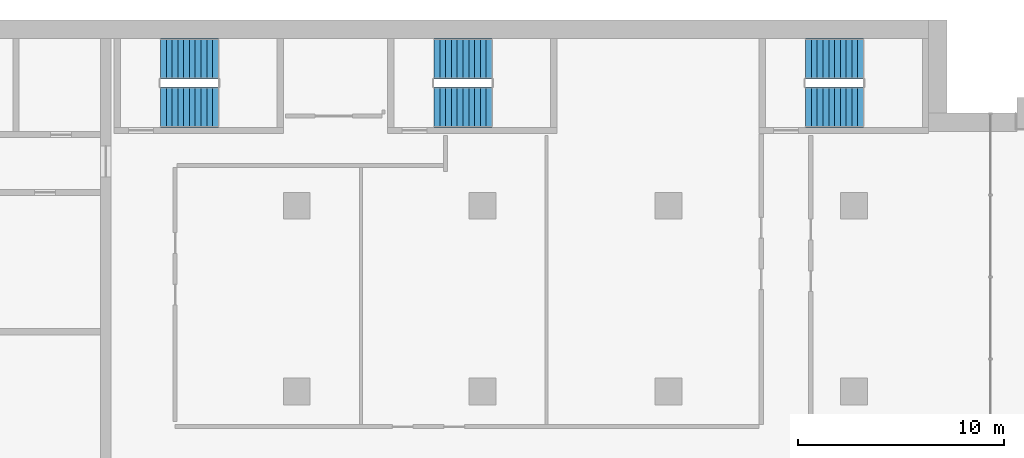
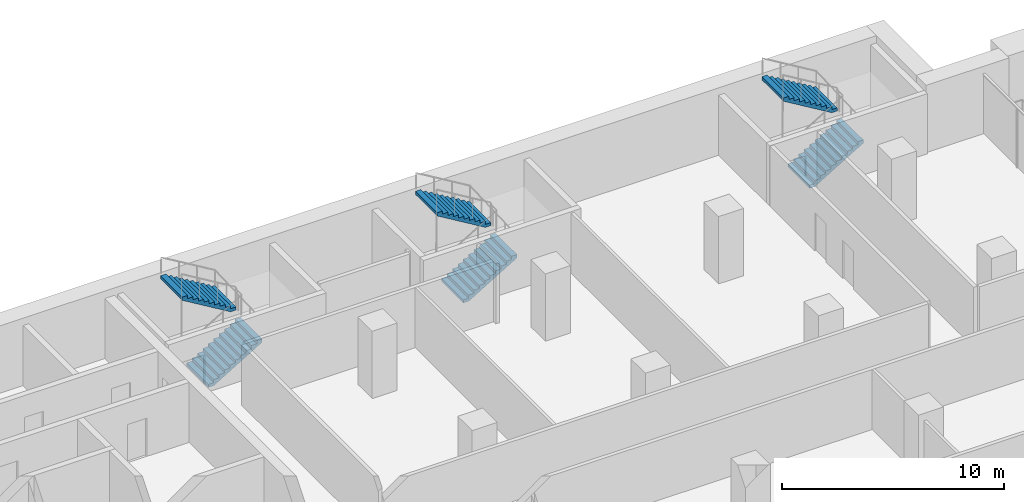
# One storey, part 18 of 23: 6 stair flights, 3 elements without a shape of their own.
"""IFC4 building model written with IfcOpenShell, lengths in metres."""

from ifc_helpers import new_model, si_unit, direction, frame, origin, place, context, subcontext, project, spatial, polyline, outline, extrude, material, type_object, element, aggregate, save


model = new_model("IFC4")

# Units and contexts
model_context = context("Model", 3, precision=1e-05, world=origin(), true_north=direction((0.0, 1.0)))
body_context = subcontext(model_context, "Body", "Model", "MODEL_VIEW")
ifc_project = project(units=[si_unit("LENGTHUNIT", "METRE"), si_unit("AREAUNIT", "SQUARE_METRE"), si_unit("VOLUMEUNIT", "CUBIC_METRE"), si_unit("PLANEANGLEUNIT", "RADIAN"), si_unit("MASSUNIT", "GRAM", prefix="KILO")], contexts=[model_context])

# Site, building, storey
site_placement = place(None, origin())
site = spatial("IfcSite", under=ifc_project, at=site_placement, CompositionType="ELEMENT")
building_placement = place(site_placement, origin())
building = spatial("IfcBuilding", under=site, at=building_placement, Name="Hunhe Ridgeline Campus", CompositionType="ELEMENT")
storey_placement = place(building_placement, frame((0.0, 0.0, 110.699951171875)))
storey = spatial("IfcBuildingStorey", under=building, at=storey_placement, Name="L27", CompositionType="ELEMENT", Elevation=110.699951171875)

# Stair, stair flights
ifc_material = material(Name="Concrete C40", Category="concrete")
stair_type = type_object("IfcStairType", Name="Reinforced concrete dog-leg stair 1950 Concrete C40", PredefinedType="HALF_TURN_STAIR", material=ifc_material)
stair_1_placement = place(storey_placement, origin())
stair_1 = element("IfcStair", 1, at=stair_1_placement, inside=storey, type_object=stair_type, Name="L27 E1", PredefinedType="HALF_TURN_STAIR")
stair_flight_type = type_object("IfcStairFlightType", Name="Reinforced concrete stair flight 1950 Concrete C40", PredefinedType="STRAIGHT", material=ifc_material)
stair_flight_1_placement = place(storey_placement, frame((38.39990234375, 94.77490234375, 0.0), z_axis=(0.0, 0.0, 1.0), x_axis=(1.0, 0.0, 0.0)))
stair_flight_1 = element("IfcStairFlight", 2, at=stair_flight_1_placement, type_object=stair_flight_type, Name="ST5 flight 1", NumberOfRisers=11, NumberOfTreads=10, PredefinedType="STRAIGHT", RiserHeight=0.168181818, TreadLength=0.28, context=body_context, shape_type="SweptSolid", body=[
    extrude(outline(polyline([(0.0, 0.0), (0.0, 0.168212890625), (0.280029296875, 0.168212890625), (0.280029296875, 0.33642578125), (0.56005859375, 0.33642578125), (0.56005859375, 0.504638671875), (0.840087890625, 0.504638671875), (0.840087890625, 0.672607421875), (1.1201171875, 0.672607421875), (1.1201171875, 0.8408203125), (1.39990234375, 0.8408203125), (1.39990234375, 1.009033203125), (1.679931640625, 1.009033203125), (1.679931640625, 1.17724609375), (1.9599609375, 1.17724609375), (1.9599609375, 1.345458984375), (2.239990234375, 1.345458984375), (2.239990234375, 1.513671875), (2.52001953125, 1.513671875), (2.52001953125, 1.681884765625), (2.800048828125, 1.681884765625), (2.800048828125, 1.85009765625), (2.800048828125, 1.5068359375), (0.291015625, 0.0), (0.0, 0.0)])), frame((0.0, 0.97509765625, 0.0), z_axis=(0.0, -1.0, 0.0), x_axis=(1.0, 0.0, 0.0)), (0.0, 0.0, 1.0), 1.949951171875),
    extrude(outline(polyline([(0.030029296875, 0.030029296875), (0.030029296875, 0.13818359375), (0.31005859375, 0.13818359375), (0.31005859375, 0.306396484375), (0.590087890625, 0.306396484375), (0.590087890625, 0.474609375), (0.8701171875, 0.474609375), (0.8701171875, 0.642578125), (1.14990234375, 0.642578125), (1.14990234375, 0.810791015625), (1.429931640625, 0.810791015625), (1.429931640625, 0.97900390625), (1.7099609375, 0.97900390625), (1.7099609375, 1.147216796875), (1.989990234375, 1.147216796875), (1.989990234375, 1.3154296875), (2.27001953125, 1.3154296875), (2.27001953125, 1.483642578125), (2.550048828125, 1.483642578125), (2.550048828125, 1.65185546875), (2.77001953125, 1.65185546875), (2.77001953125, 1.52392578125), (0.28271484375, 0.030029296875), (0.030029296875, 0.030029296875)])), frame((0.0, -0.070068359375, 0.0), z_axis=(0.0, -1.0, 0.0), x_axis=(1.0, 0.0, 0.0)), (0.0, 0.0, 1.0), 0.019775390625),
    extrude(outline(polyline([(0.030029296875, 0.030029296875), (0.030029296875, 0.13818359375), (0.31005859375, 0.13818359375), (0.31005859375, 0.306396484375), (0.590087890625, 0.306396484375), (0.590087890625, 0.474609375), (0.8701171875, 0.474609375), (0.8701171875, 0.642578125), (1.14990234375, 0.642578125), (1.14990234375, 0.810791015625), (1.429931640625, 0.810791015625), (1.429931640625, 0.97900390625), (1.7099609375, 0.97900390625), (1.7099609375, 1.147216796875), (1.989990234375, 1.147216796875), (1.989990234375, 1.3154296875), (2.27001953125, 1.3154296875), (2.27001953125, 1.483642578125), (2.550048828125, 1.483642578125), (2.550048828125, 1.65185546875), (2.77001953125, 1.65185546875), (2.77001953125, 1.52392578125), (0.28271484375, 0.030029296875), (0.030029296875, 0.030029296875)])), frame((0.0, 0.010009765625, 0.0), z_axis=(0.0, -1.0, 0.0), x_axis=(1.0, 0.0, 0.0)), (0.0, 0.0, 1.0), 0.019775390625),
    extrude(outline(polyline([(0.030029296875, 0.030029296875), (0.030029296875, 0.13818359375), (0.31005859375, 0.13818359375), (0.31005859375, 0.306396484375), (0.590087890625, 0.306396484375), (0.590087890625, 0.474609375), (0.8701171875, 0.474609375), (0.8701171875, 0.642578125), (1.14990234375, 0.642578125), (1.14990234375, 0.810791015625), (1.429931640625, 0.810791015625), (1.429931640625, 0.97900390625), (1.7099609375, 0.97900390625), (1.7099609375, 1.147216796875), (1.989990234375, 1.147216796875), (1.989990234375, 1.3154296875), (2.27001953125, 1.3154296875), (2.27001953125, 1.483642578125), (2.550048828125, 1.483642578125), (2.550048828125, 1.65185546875), (2.77001953125, 1.65185546875), (2.77001953125, 1.52392578125), (0.28271484375, 0.030029296875), (0.030029296875, 0.030029296875)])), frame((0.0, 0.090087890625, 0.0), z_axis=(0.0, -1.0, 0.0), x_axis=(1.0, 0.0, 0.0)), (0.0, 0.0, 1.0), 0.019775390625),
])
stair_flight_2_placement = place(storey_placement, frame((41.199951171875, 97.125, 1.85009765625), z_axis=(0.0, 0.0, 1.0), x_axis=(-1.0, 0.0, 0.0)))
stair_flight_2 = element("IfcStairFlight", 3, at=stair_flight_2_placement, type_object=stair_flight_type, Name="ST5 flight 2", NumberOfRisers=11, NumberOfTreads=10, PredefinedType="STRAIGHT", RiserHeight=0.168181818, TreadLength=0.28, context=body_context, shape_type="SweptSolid", body=[
    extrude(outline(polyline([(0.0, 0.0), (0.0, 0.168212890625), (0.280029296875, 0.168212890625), (0.280029296875, 0.33642578125), (0.56005859375, 0.33642578125), (0.56005859375, 0.504638671875), (0.840087890625, 0.504638671875), (0.840087890625, 0.672607421875), (1.1201171875, 0.672607421875), (1.1201171875, 0.8408203125), (1.39990234375, 0.8408203125), (1.39990234375, 1.009033203125), (1.679931640625, 1.009033203125), (1.679931640625, 1.17724609375), (1.9599609375, 1.17724609375), (1.9599609375, 1.345458984375), (2.239990234375, 1.345458984375), (2.239990234375, 1.513671875), (2.52001953125, 1.513671875), (2.52001953125, 1.681884765625), (2.800048828125, 1.681884765625), (2.800048828125, 1.85009765625), (2.800048828125, 1.5068359375), (0.291015625, 0.0), (0.0, 0.0)])), frame((0.0, 0.97509765625, 0.0), z_axis=(0.0, -1.0, 0.0), x_axis=(1.0, 0.0, 0.0)), (0.0, 0.0, 1.0), 1.949951171875),
    extrude(outline(polyline([(0.030029296875, 0.030029296875), (0.030029296875, 0.13818359375), (0.31005859375, 0.13818359375), (0.31005859375, 0.306396484375), (0.590087890625, 0.306396484375), (0.590087890625, 0.474609375), (0.8701171875, 0.474609375), (0.8701171875, 0.642578125), (1.14990234375, 0.642578125), (1.14990234375, 0.810791015625), (1.429931640625, 0.810791015625), (1.429931640625, 0.97900390625), (1.7099609375, 0.97900390625), (1.7099609375, 1.147216796875), (1.989990234375, 1.147216796875), (1.989990234375, 1.3154296875), (2.27001953125, 1.3154296875), (2.27001953125, 1.483642578125), (2.550048828125, 1.483642578125), (2.550048828125, 1.65185546875), (2.77001953125, 1.65185546875), (2.77001953125, 1.52392578125), (0.28271484375, 0.030029296875), (0.030029296875, 0.030029296875)])), frame((0.0, -0.070068359375, 0.0), z_axis=(0.0, -1.0, 0.0), x_axis=(1.0, 0.0, 0.0)), (0.0, 0.0, 1.0), 0.019775390625),
    extrude(outline(polyline([(0.030029296875, 0.030029296875), (0.030029296875, 0.13818359375), (0.31005859375, 0.13818359375), (0.31005859375, 0.306396484375), (0.590087890625, 0.306396484375), (0.590087890625, 0.474609375), (0.8701171875, 0.474609375), (0.8701171875, 0.642578125), (1.14990234375, 0.642578125), (1.14990234375, 0.810791015625), (1.429931640625, 0.810791015625), (1.429931640625, 0.97900390625), (1.7099609375, 0.97900390625), (1.7099609375, 1.147216796875), (1.989990234375, 1.147216796875), (1.989990234375, 1.3154296875), (2.27001953125, 1.3154296875), (2.27001953125, 1.483642578125), (2.550048828125, 1.483642578125), (2.550048828125, 1.65185546875), (2.77001953125, 1.65185546875), (2.77001953125, 1.52392578125), (0.28271484375, 0.030029296875), (0.030029296875, 0.030029296875)])), frame((0.0, 0.010009765625, 0.0), z_axis=(0.0, -1.0, 0.0), x_axis=(1.0, 0.0, 0.0)), (0.0, 0.0, 1.0), 0.019775390625),
    extrude(outline(polyline([(0.030029296875, 0.030029296875), (0.030029296875, 0.13818359375), (0.31005859375, 0.13818359375), (0.31005859375, 0.306396484375), (0.590087890625, 0.306396484375), (0.590087890625, 0.474609375), (0.8701171875, 0.474609375), (0.8701171875, 0.642578125), (1.14990234375, 0.642578125), (1.14990234375, 0.810791015625), (1.429931640625, 0.810791015625), (1.429931640625, 0.97900390625), (1.7099609375, 0.97900390625), (1.7099609375, 1.147216796875), (1.989990234375, 1.147216796875), (1.989990234375, 1.3154296875), (2.27001953125, 1.3154296875), (2.27001953125, 1.483642578125), (2.550048828125, 1.483642578125), (2.550048828125, 1.65185546875), (2.77001953125, 1.65185546875), (2.77001953125, 1.52392578125), (0.28271484375, 0.030029296875), (0.030029296875, 0.030029296875)])), frame((0.0, 0.090087890625, 0.0), z_axis=(0.0, -1.0, 0.0), x_axis=(1.0, 0.0, 0.0)), (0.0, 0.0, 1.0), 0.019775390625),
])
aggregate(stair_1, [stair_flight_1, stair_flight_2])

stair_2_placement = place(storey_placement, origin())
stair_2 = element("IfcStair", 4, at=stair_2_placement, inside=storey, type_object=stair_type, Name="L27 E2", PredefinedType="HALF_TURN_STAIR")
stair_flight_3_placement = place(storey_placement, frame((51.64990234375, 94.77490234375, 0.0), z_axis=(0.0, 0.0, 1.0), x_axis=(1.0, 0.0, 0.0)))
stair_flight_3 = element("IfcStairFlight", 5, at=stair_flight_3_placement, type_object=stair_flight_type, Name="ST6 flight 1", NumberOfRisers=11, NumberOfTreads=10, PredefinedType="STRAIGHT", RiserHeight=0.168181818, TreadLength=0.28, context=body_context, shape_type="SweptSolid", body=[
    extrude(outline(polyline([(0.0, 0.0), (0.0, 0.168212890625), (0.280029296875, 0.168212890625), (0.280029296875, 0.33642578125), (0.56005859375, 0.33642578125), (0.56005859375, 0.504638671875), (0.840087890625, 0.504638671875), (0.840087890625, 0.672607421875), (1.1201171875, 0.672607421875), (1.1201171875, 0.8408203125), (1.39990234375, 0.8408203125), (1.39990234375, 1.009033203125), (1.679931640625, 1.009033203125), (1.679931640625, 1.17724609375), (1.9599609375, 1.17724609375), (1.9599609375, 1.345458984375), (2.239990234375, 1.345458984375), (2.239990234375, 1.513671875), (2.52001953125, 1.513671875), (2.52001953125, 1.681884765625), (2.800048828125, 1.681884765625), (2.800048828125, 1.85009765625), (2.800048828125, 1.5068359375), (0.291015625, 0.0), (0.0, 0.0)])), frame((0.0, 0.97509765625, 0.0), z_axis=(0.0, -1.0, 0.0), x_axis=(1.0, 0.0, 0.0)), (0.0, 0.0, 1.0), 1.949951171875),
    extrude(outline(polyline([(0.030029296875, 0.030029296875), (0.030029296875, 0.13818359375), (0.31005859375, 0.13818359375), (0.31005859375, 0.306396484375), (0.590087890625, 0.306396484375), (0.590087890625, 0.474609375), (0.8701171875, 0.474609375), (0.8701171875, 0.642578125), (1.14990234375, 0.642578125), (1.14990234375, 0.810791015625), (1.429931640625, 0.810791015625), (1.429931640625, 0.97900390625), (1.7099609375, 0.97900390625), (1.7099609375, 1.147216796875), (1.989990234375, 1.147216796875), (1.989990234375, 1.3154296875), (2.27001953125, 1.3154296875), (2.27001953125, 1.483642578125), (2.550048828125, 1.483642578125), (2.550048828125, 1.65185546875), (2.77001953125, 1.65185546875), (2.77001953125, 1.52392578125), (0.28271484375, 0.030029296875), (0.030029296875, 0.030029296875)])), frame((0.0, -0.070068359375, 0.0), z_axis=(0.0, -1.0, 0.0), x_axis=(1.0, 0.0, 0.0)), (0.0, 0.0, 1.0), 0.019775390625),
    extrude(outline(polyline([(0.030029296875, 0.030029296875), (0.030029296875, 0.13818359375), (0.31005859375, 0.13818359375), (0.31005859375, 0.306396484375), (0.590087890625, 0.306396484375), (0.590087890625, 0.474609375), (0.8701171875, 0.474609375), (0.8701171875, 0.642578125), (1.14990234375, 0.642578125), (1.14990234375, 0.810791015625), (1.429931640625, 0.810791015625), (1.429931640625, 0.97900390625), (1.7099609375, 0.97900390625), (1.7099609375, 1.147216796875), (1.989990234375, 1.147216796875), (1.989990234375, 1.3154296875), (2.27001953125, 1.3154296875), (2.27001953125, 1.483642578125), (2.550048828125, 1.483642578125), (2.550048828125, 1.65185546875), (2.77001953125, 1.65185546875), (2.77001953125, 1.52392578125), (0.28271484375, 0.030029296875), (0.030029296875, 0.030029296875)])), frame((0.0, 0.010009765625, 0.0), z_axis=(0.0, -1.0, 0.0), x_axis=(1.0, 0.0, 0.0)), (0.0, 0.0, 1.0), 0.019775390625),
    extrude(outline(polyline([(0.030029296875, 0.030029296875), (0.030029296875, 0.13818359375), (0.31005859375, 0.13818359375), (0.31005859375, 0.306396484375), (0.590087890625, 0.306396484375), (0.590087890625, 0.474609375), (0.8701171875, 0.474609375), (0.8701171875, 0.642578125), (1.14990234375, 0.642578125), (1.14990234375, 0.810791015625), (1.429931640625, 0.810791015625), (1.429931640625, 0.97900390625), (1.7099609375, 0.97900390625), (1.7099609375, 1.147216796875), (1.989990234375, 1.147216796875), (1.989990234375, 1.3154296875), (2.27001953125, 1.3154296875), (2.27001953125, 1.483642578125), (2.550048828125, 1.483642578125), (2.550048828125, 1.65185546875), (2.77001953125, 1.65185546875), (2.77001953125, 1.52392578125), (0.28271484375, 0.030029296875), (0.030029296875, 0.030029296875)])), frame((0.0, 0.090087890625, 0.0), z_axis=(0.0, -1.0, 0.0), x_axis=(1.0, 0.0, 0.0)), (0.0, 0.0, 1.0), 0.019775390625),
])
stair_flight_4_placement = place(storey_placement, frame((54.449951171875, 97.125, 1.85009765625), z_axis=(0.0, 0.0, 1.0), x_axis=(-1.0, 0.0, 0.0)))
stair_flight_4 = element("IfcStairFlight", 6, at=stair_flight_4_placement, type_object=stair_flight_type, Name="ST6 flight 2", NumberOfRisers=11, NumberOfTreads=10, PredefinedType="STRAIGHT", RiserHeight=0.168181818, TreadLength=0.28, context=body_context, shape_type="SweptSolid", body=[
    extrude(outline(polyline([(0.0, 0.0), (0.0, 0.168212890625), (0.280029296875, 0.168212890625), (0.280029296875, 0.33642578125), (0.56005859375, 0.33642578125), (0.56005859375, 0.504638671875), (0.840087890625, 0.504638671875), (0.840087890625, 0.672607421875), (1.1201171875, 0.672607421875), (1.1201171875, 0.8408203125), (1.39990234375, 0.8408203125), (1.39990234375, 1.009033203125), (1.679931640625, 1.009033203125), (1.679931640625, 1.17724609375), (1.9599609375, 1.17724609375), (1.9599609375, 1.345458984375), (2.239990234375, 1.345458984375), (2.239990234375, 1.513671875), (2.52001953125, 1.513671875), (2.52001953125, 1.681884765625), (2.800048828125, 1.681884765625), (2.800048828125, 1.85009765625), (2.800048828125, 1.5068359375), (0.291015625, 0.0), (0.0, 0.0)])), frame((0.0, 0.97509765625, 0.0), z_axis=(0.0, -1.0, 0.0), x_axis=(1.0, 0.0, 0.0)), (0.0, 0.0, 1.0), 1.949951171875),
    extrude(outline(polyline([(0.030029296875, 0.030029296875), (0.030029296875, 0.13818359375), (0.31005859375, 0.13818359375), (0.31005859375, 0.306396484375), (0.590087890625, 0.306396484375), (0.590087890625, 0.474609375), (0.8701171875, 0.474609375), (0.8701171875, 0.642578125), (1.14990234375, 0.642578125), (1.14990234375, 0.810791015625), (1.429931640625, 0.810791015625), (1.429931640625, 0.97900390625), (1.7099609375, 0.97900390625), (1.7099609375, 1.147216796875), (1.989990234375, 1.147216796875), (1.989990234375, 1.3154296875), (2.27001953125, 1.3154296875), (2.27001953125, 1.483642578125), (2.550048828125, 1.483642578125), (2.550048828125, 1.65185546875), (2.77001953125, 1.65185546875), (2.77001953125, 1.52392578125), (0.28271484375, 0.030029296875), (0.030029296875, 0.030029296875)])), frame((0.0, -0.070068359375, 0.0), z_axis=(0.0, -1.0, 0.0), x_axis=(1.0, 0.0, 0.0)), (0.0, 0.0, 1.0), 0.019775390625),
    extrude(outline(polyline([(0.030029296875, 0.030029296875), (0.030029296875, 0.13818359375), (0.31005859375, 0.13818359375), (0.31005859375, 0.306396484375), (0.590087890625, 0.306396484375), (0.590087890625, 0.474609375), (0.8701171875, 0.474609375), (0.8701171875, 0.642578125), (1.14990234375, 0.642578125), (1.14990234375, 0.810791015625), (1.429931640625, 0.810791015625), (1.429931640625, 0.97900390625), (1.7099609375, 0.97900390625), (1.7099609375, 1.147216796875), (1.989990234375, 1.147216796875), (1.989990234375, 1.3154296875), (2.27001953125, 1.3154296875), (2.27001953125, 1.483642578125), (2.550048828125, 1.483642578125), (2.550048828125, 1.65185546875), (2.77001953125, 1.65185546875), (2.77001953125, 1.52392578125), (0.28271484375, 0.030029296875), (0.030029296875, 0.030029296875)])), frame((0.0, 0.010009765625, 0.0), z_axis=(0.0, -1.0, 0.0), x_axis=(1.0, 0.0, 0.0)), (0.0, 0.0, 1.0), 0.019775390625),
    extrude(outline(polyline([(0.030029296875, 0.030029296875), (0.030029296875, 0.13818359375), (0.31005859375, 0.13818359375), (0.31005859375, 0.306396484375), (0.590087890625, 0.306396484375), (0.590087890625, 0.474609375), (0.8701171875, 0.474609375), (0.8701171875, 0.642578125), (1.14990234375, 0.642578125), (1.14990234375, 0.810791015625), (1.429931640625, 0.810791015625), (1.429931640625, 0.97900390625), (1.7099609375, 0.97900390625), (1.7099609375, 1.147216796875), (1.989990234375, 1.147216796875), (1.989990234375, 1.3154296875), (2.27001953125, 1.3154296875), (2.27001953125, 1.483642578125), (2.550048828125, 1.483642578125), (2.550048828125, 1.65185546875), (2.77001953125, 1.65185546875), (2.77001953125, 1.52392578125), (0.28271484375, 0.030029296875), (0.030029296875, 0.030029296875)])), frame((0.0, 0.090087890625, 0.0), z_axis=(0.0, -1.0, 0.0), x_axis=(1.0, 0.0, 0.0)), (0.0, 0.0, 1.0), 0.019775390625),
])
aggregate(stair_2, [stair_flight_3, stair_flight_4])

stair_3_placement = place(storey_placement, origin())
stair_3 = element("IfcStair", 7, at=stair_3_placement, inside=storey, type_object=stair_type, Name="L27 E3", PredefinedType="HALF_TURN_STAIR")
stair_flight_5_placement = place(storey_placement, frame((69.64990234375, 94.77490234375, 0.0), z_axis=(0.0, 0.0, 1.0), x_axis=(1.0, 0.0, 0.0)))
stair_flight_5 = element("IfcStairFlight", 8, at=stair_flight_5_placement, type_object=stair_flight_type, Name="ST7 flight 1", NumberOfRisers=11, NumberOfTreads=10, PredefinedType="STRAIGHT", RiserHeight=0.168181818, TreadLength=0.28, context=body_context, shape_type="SweptSolid", body=[
    extrude(outline(polyline([(0.0, 0.0), (0.0, 0.168212890625), (0.280029296875, 0.168212890625), (0.280029296875, 0.33642578125), (0.56005859375, 0.33642578125), (0.56005859375, 0.504638671875), (0.840087890625, 0.504638671875), (0.840087890625, 0.672607421875), (1.1201171875, 0.672607421875), (1.1201171875, 0.8408203125), (1.39990234375, 0.8408203125), (1.39990234375, 1.009033203125), (1.679931640625, 1.009033203125), (1.679931640625, 1.17724609375), (1.9599609375, 1.17724609375), (1.9599609375, 1.345458984375), (2.239990234375, 1.345458984375), (2.239990234375, 1.513671875), (2.52001953125, 1.513671875), (2.52001953125, 1.681884765625), (2.800048828125, 1.681884765625), (2.800048828125, 1.85009765625), (2.800048828125, 1.5068359375), (0.291015625, 0.0), (0.0, 0.0)])), frame((0.0, 0.97509765625, 0.0), z_axis=(0.0, -1.0, 0.0), x_axis=(1.0, 0.0, 0.0)), (0.0, 0.0, 1.0), 1.949951171875),
    extrude(outline(polyline([(0.030029296875, 0.030029296875), (0.030029296875, 0.13818359375), (0.31005859375, 0.13818359375), (0.31005859375, 0.306396484375), (0.590087890625, 0.306396484375), (0.590087890625, 0.474609375), (0.8701171875, 0.474609375), (0.8701171875, 0.642578125), (1.14990234375, 0.642578125), (1.14990234375, 0.810791015625), (1.429931640625, 0.810791015625), (1.429931640625, 0.97900390625), (1.7099609375, 0.97900390625), (1.7099609375, 1.147216796875), (1.989990234375, 1.147216796875), (1.989990234375, 1.3154296875), (2.27001953125, 1.3154296875), (2.27001953125, 1.483642578125), (2.550048828125, 1.483642578125), (2.550048828125, 1.65185546875), (2.77001953125, 1.65185546875), (2.77001953125, 1.52392578125), (0.28271484375, 0.030029296875), (0.030029296875, 0.030029296875)])), frame((0.0, -0.070068359375, 0.0), z_axis=(0.0, -1.0, 0.0), x_axis=(1.0, 0.0, 0.0)), (0.0, 0.0, 1.0), 0.019775390625),
    extrude(outline(polyline([(0.030029296875, 0.030029296875), (0.030029296875, 0.13818359375), (0.31005859375, 0.13818359375), (0.31005859375, 0.306396484375), (0.590087890625, 0.306396484375), (0.590087890625, 0.474609375), (0.8701171875, 0.474609375), (0.8701171875, 0.642578125), (1.14990234375, 0.642578125), (1.14990234375, 0.810791015625), (1.429931640625, 0.810791015625), (1.429931640625, 0.97900390625), (1.7099609375, 0.97900390625), (1.7099609375, 1.147216796875), (1.989990234375, 1.147216796875), (1.989990234375, 1.3154296875), (2.27001953125, 1.3154296875), (2.27001953125, 1.483642578125), (2.550048828125, 1.483642578125), (2.550048828125, 1.65185546875), (2.77001953125, 1.65185546875), (2.77001953125, 1.52392578125), (0.28271484375, 0.030029296875), (0.030029296875, 0.030029296875)])), frame((0.0, 0.010009765625, 0.0), z_axis=(0.0, -1.0, 0.0), x_axis=(1.0, 0.0, 0.0)), (0.0, 0.0, 1.0), 0.019775390625),
    extrude(outline(polyline([(0.030029296875, 0.030029296875), (0.030029296875, 0.13818359375), (0.31005859375, 0.13818359375), (0.31005859375, 0.306396484375), (0.590087890625, 0.306396484375), (0.590087890625, 0.474609375), (0.8701171875, 0.474609375), (0.8701171875, 0.642578125), (1.14990234375, 0.642578125), (1.14990234375, 0.810791015625), (1.429931640625, 0.810791015625), (1.429931640625, 0.97900390625), (1.7099609375, 0.97900390625), (1.7099609375, 1.147216796875), (1.989990234375, 1.147216796875), (1.989990234375, 1.3154296875), (2.27001953125, 1.3154296875), (2.27001953125, 1.483642578125), (2.550048828125, 1.483642578125), (2.550048828125, 1.65185546875), (2.77001953125, 1.65185546875), (2.77001953125, 1.52392578125), (0.28271484375, 0.030029296875), (0.030029296875, 0.030029296875)])), frame((0.0, 0.090087890625, 0.0), z_axis=(0.0, -1.0, 0.0), x_axis=(1.0, 0.0, 0.0)), (0.0, 0.0, 1.0), 0.019775390625),
])
stair_flight_6_placement = place(storey_placement, frame((72.449951171875, 97.125, 1.85009765625), z_axis=(0.0, 0.0, 1.0), x_axis=(-1.0, 0.0, 0.0)))
stair_flight_6 = element("IfcStairFlight", 9, at=stair_flight_6_placement, type_object=stair_flight_type, Name="ST7 flight 2", NumberOfRisers=11, NumberOfTreads=10, PredefinedType="STRAIGHT", RiserHeight=0.168181818, TreadLength=0.28, context=body_context, shape_type="SweptSolid", body=[
    extrude(outline(polyline([(0.0, 0.0), (0.0, 0.168212890625), (0.280029296875, 0.168212890625), (0.280029296875, 0.33642578125), (0.56005859375, 0.33642578125), (0.56005859375, 0.504638671875), (0.840087890625, 0.504638671875), (0.840087890625, 0.672607421875), (1.1201171875, 0.672607421875), (1.1201171875, 0.8408203125), (1.39990234375, 0.8408203125), (1.39990234375, 1.009033203125), (1.679931640625, 1.009033203125), (1.679931640625, 1.17724609375), (1.9599609375, 1.17724609375), (1.9599609375, 1.345458984375), (2.239990234375, 1.345458984375), (2.239990234375, 1.513671875), (2.52001953125, 1.513671875), (2.52001953125, 1.681884765625), (2.800048828125, 1.681884765625), (2.800048828125, 1.85009765625), (2.800048828125, 1.5068359375), (0.291015625, 0.0), (0.0, 0.0)])), frame((0.0, 0.97509765625, 0.0), z_axis=(0.0, -1.0, 0.0), x_axis=(1.0, 0.0, 0.0)), (0.0, 0.0, 1.0), 1.949951171875),
    extrude(outline(polyline([(0.030029296875, 0.030029296875), (0.030029296875, 0.13818359375), (0.31005859375, 0.13818359375), (0.31005859375, 0.306396484375), (0.590087890625, 0.306396484375), (0.590087890625, 0.474609375), (0.8701171875, 0.474609375), (0.8701171875, 0.642578125), (1.14990234375, 0.642578125), (1.14990234375, 0.810791015625), (1.429931640625, 0.810791015625), (1.429931640625, 0.97900390625), (1.7099609375, 0.97900390625), (1.7099609375, 1.147216796875), (1.989990234375, 1.147216796875), (1.989990234375, 1.3154296875), (2.27001953125, 1.3154296875), (2.27001953125, 1.483642578125), (2.550048828125, 1.483642578125), (2.550048828125, 1.65185546875), (2.77001953125, 1.65185546875), (2.77001953125, 1.52392578125), (0.28271484375, 0.030029296875), (0.030029296875, 0.030029296875)])), frame((0.0, -0.070068359375, 0.0), z_axis=(0.0, -1.0, 0.0), x_axis=(1.0, 0.0, 0.0)), (0.0, 0.0, 1.0), 0.019775390625),
    extrude(outline(polyline([(0.030029296875, 0.030029296875), (0.030029296875, 0.13818359375), (0.31005859375, 0.13818359375), (0.31005859375, 0.306396484375), (0.590087890625, 0.306396484375), (0.590087890625, 0.474609375), (0.8701171875, 0.474609375), (0.8701171875, 0.642578125), (1.14990234375, 0.642578125), (1.14990234375, 0.810791015625), (1.429931640625, 0.810791015625), (1.429931640625, 0.97900390625), (1.7099609375, 0.97900390625), (1.7099609375, 1.147216796875), (1.989990234375, 1.147216796875), (1.989990234375, 1.3154296875), (2.27001953125, 1.3154296875), (2.27001953125, 1.483642578125), (2.550048828125, 1.483642578125), (2.550048828125, 1.65185546875), (2.77001953125, 1.65185546875), (2.77001953125, 1.52392578125), (0.28271484375, 0.030029296875), (0.030029296875, 0.030029296875)])), frame((0.0, 0.010009765625, 0.0), z_axis=(0.0, -1.0, 0.0), x_axis=(1.0, 0.0, 0.0)), (0.0, 0.0, 1.0), 0.019775390625),
    extrude(outline(polyline([(0.030029296875, 0.030029296875), (0.030029296875, 0.13818359375), (0.31005859375, 0.13818359375), (0.31005859375, 0.306396484375), (0.590087890625, 0.306396484375), (0.590087890625, 0.474609375), (0.8701171875, 0.474609375), (0.8701171875, 0.642578125), (1.14990234375, 0.642578125), (1.14990234375, 0.810791015625), (1.429931640625, 0.810791015625), (1.429931640625, 0.97900390625), (1.7099609375, 0.97900390625), (1.7099609375, 1.147216796875), (1.989990234375, 1.147216796875), (1.989990234375, 1.3154296875), (2.27001953125, 1.3154296875), (2.27001953125, 1.483642578125), (2.550048828125, 1.483642578125), (2.550048828125, 1.65185546875), (2.77001953125, 1.65185546875), (2.77001953125, 1.52392578125), (0.28271484375, 0.030029296875), (0.030029296875, 0.030029296875)])), frame((0.0, 0.090087890625, 0.0), z_axis=(0.0, -1.0, 0.0), x_axis=(1.0, 0.0, 0.0)), (0.0, 0.0, 1.0), 0.019775390625),
])
aggregate(stair_3, [stair_flight_5, stair_flight_6])

save(model, "model.ifc")
